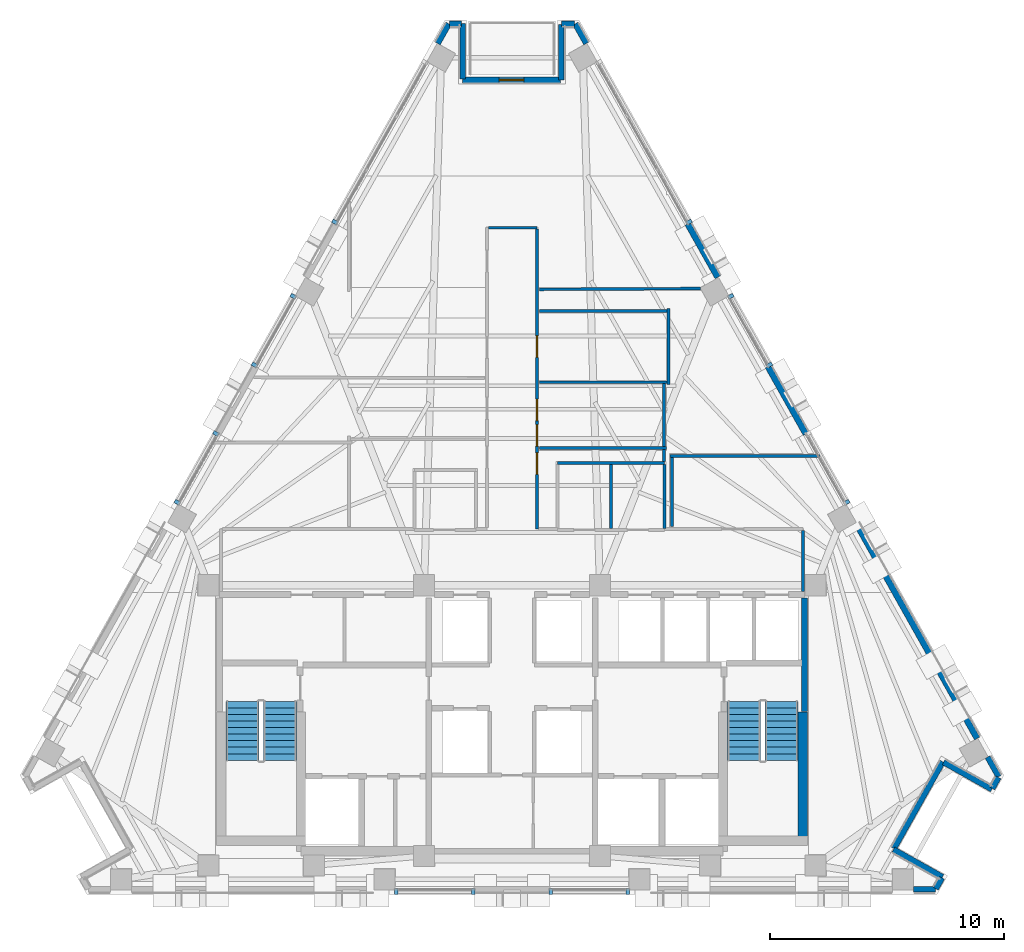
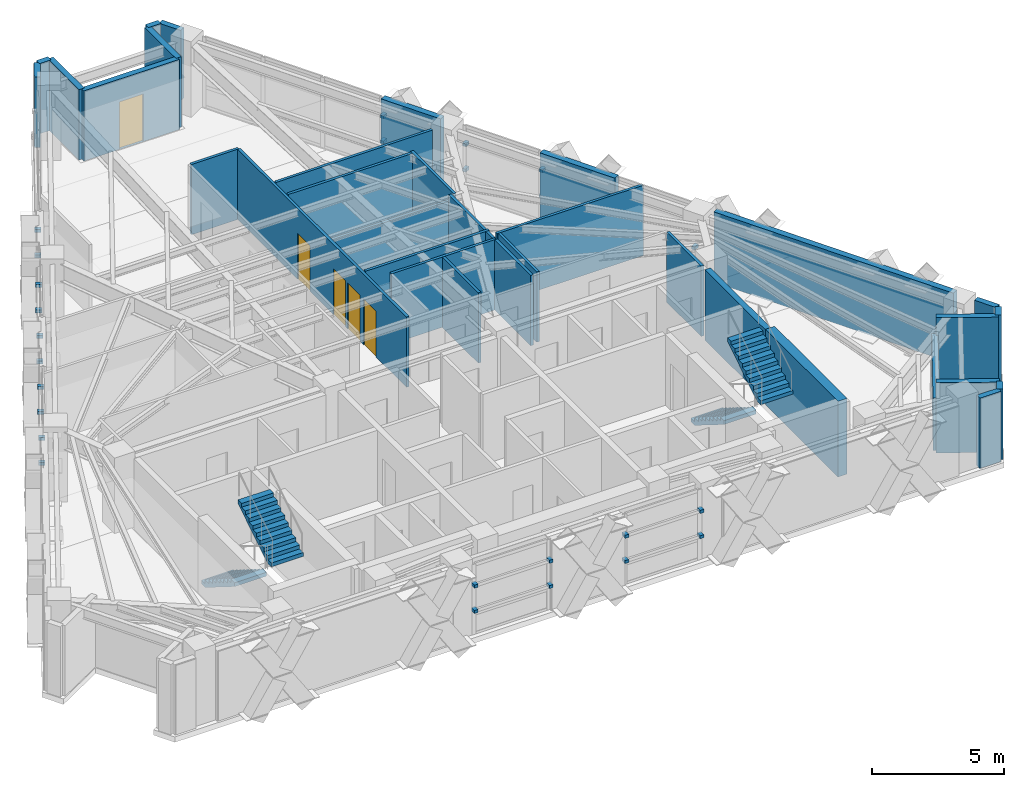
# One storey, part 10 of 15: 34 walls, 25 discrete accessories, 5 doors, 4 stair flights, 5 openings, 2 elements without a shape of their own.
"""IFC4 building model written with IfcOpenShell, lengths in metres."""

from ifc_helpers import new_model, si_unit, direction, frame, frame_2d, origin, origin_2d, place, context, subcontext, project, spatial, polyline, rectangle, outline, extrude, material, layer, layer_set, type_object, element, fill, aggregate, save


model = new_model("IFC4")

# Units and contexts
model_context = context("Model", 3, precision=1e-05, world=origin(), true_north=direction((0.0, 1.0)))
body_context = subcontext(model_context, "Body", "Model", "MODEL_VIEW")
ifc_project = project(units=[si_unit("LENGTHUNIT", "METRE"), si_unit("AREAUNIT", "SQUARE_METRE"), si_unit("VOLUMEUNIT", "CUBIC_METRE"), si_unit("PLANEANGLEUNIT", "RADIAN"), si_unit("MASSUNIT", "GRAM", prefix="KILO")], contexts=[model_context])

# Site, building, storey
site_placement = place(None, origin())
site = spatial("IfcSite", under=ifc_project, at=site_placement, CompositionType="ELEMENT")
building_placement = place(site_placement, origin())
building = spatial("IfcBuilding", under=site, at=building_placement, Name="Quenlor Broadcast Tower", CompositionType="ELEMENT")
storey_placement = place(building_placement, frame((0.0, 0.0, 183.39990234375)))
storey = spatial("IfcBuildingStorey", under=building, at=storey_placement, Name="L50", CompositionType="ELEMENT", Elevation=183.39990234375)

# Walls
ifc_material_1 = material(Name="Concrete C50/60", Category="concrete")
ifc_layer_1 = layer(ifc_material_1, 0.39990234375)
ifc_layer_set_1 = layer_set([ifc_layer_1], Name="Core Concrete C50/60 Shear Wall 400")
wall_type_1 = type_object("IfcWallType", Name="Core Concrete C50/60 Shear Wall 400", PredefinedType="SHEAR", material=ifc_layer_set_1)
wall_1_placement = place(storey_placement, frame((12.39990234375, -15.699951171875, 0.0), z_axis=(0.0, 0.0, 1.0), x_axis=(0.0, 1.0, 0.0)))
element("IfcWall", 1, at=wall_1_placement, inside=storey, type_object=wall_type_1, Name="L50 Core Shear Wall WF-E", PredefinedType="SHEAR", context=body_context, shape_type="SweptSolid", body=[
    extrude(rectangle(XDim=5.5, YDim=0.39990234375, at=frame_2d((2.75, 0.0))), origin(), (0.0, 0.0, 1.0), 3.5),
])
ifc_material_2 = material(Name="Concrete C40/50", Category="concrete")
ifc_layer_2 = layer(ifc_material_2, 0.25)
ifc_layer_set_2 = layer_set([ifc_layer_2], Name="Fire Rated Concrete C40/50 Core Wall 250")
wall_type_2 = type_object("IfcWallType", Name="Fire Rated Concrete C40/50 Core Wall 250", PredefinedType="PARTITIONING", material=ifc_layer_set_2)
wall_2_placement = place(storey_placement, frame((12.47998046875, -10.179931640625, 0.0), z_axis=(0.0, 0.0, 1.0), x_axis=(0.0, 1.0, 0.0)))
element("IfcWall", 2, at=wall_2_placement, inside=storey, type_object=wall_type_2, Name="L50 Interior Wall CW-ST2-E2", PredefinedType="PARTITIONING", context=body_context, shape_type="SweptSolid", body=[
    extrude(rectangle(XDim=4.83984375, YDim=0.25, at=frame_2d((2.419921875, 0.0))), origin(), (0.0, 0.0, 1.0), 3.25),
])
ifc_material_3 = material(Name="Gypsum Plasterboard Partition", Category="other")
ifc_layer_3 = layer(ifc_material_3, 0.1201171875)
ifc_layer_set_3 = layer_set([ifc_layer_3], Name="Standard Office Partition 120")
wall_type_3 = type_object("IfcWallType", Name="Standard Office Partition 120", PredefinedType="PARTITIONING", material=ifc_layer_set_3)
wall_3_placement = place(storey_placement, frame((1.93994140625, 0.409912109375, 0.0), z_axis=(0.0, 0.0, 1.0), x_axis=(1.0, 0.0, 0.0)))
element("IfcWall", 3, at=wall_3_placement, inside=storey, type_object=wall_type_3, Name="L50 Interior Wall PW-WC-N", PredefinedType="PARTITIONING", context=body_context, shape_type="SweptSolid", body=[
    extrude(rectangle(XDim=4.570068359375, YDim=0.1201171875, at=frame_2d((2.28515625, 0.0))), origin(), (0.0, 0.0, 1.0), 3.25),
])
for number, where, z_axis, x_axis, name in (
    (4, (4.219970703125, -2.3779296875, 0.0), (0.0, 0.0, 1.0), (0.0, 1.0, 0.0), "L50 Interior Wall PW-WC-M"),
    (5, (6.510009765625, -2.3779296875, 0.0), (0.0, 0.0, 1.0), (0.0, 1.0, 0.0), "L50 Interior Wall PW-WC-E"),
):
    element("IfcWall", number, at=place(storey_placement, frame(where, z_axis=z_axis, x_axis=x_axis)), inside=storey, type_object=wall_type_3, Name=name, PredefinedType="PARTITIONING", context=body_context, shape_type="SweptSolid", body=[
        extrude(rectangle(XDim=2.725830078125, YDim=0.1201171875, at=frame_2d((1.36279296875, 0.0))), origin(), (0.0, 0.0, 1.0), 3.25),
    ])
wall_4_placement = place(storey_placement, frame((-1.008056640625, 10.449951171875, 0.0), z_axis=(0.0, 0.0, 1.0), x_axis=(1.0, 0.0, 0.0)))
element("IfcWall", 6, at=wall_4_placement, inside=storey, type_object=wall_type_3, Name="L50 Interior Wall PW-CR-04", PredefinedType="PARTITIONING", context=body_context, shape_type="SweptSolid", body=[
    extrude(rectangle(XDim=2.078125, YDim=0.1201171875, at=frame_2d((1.0390625, 0.0))), origin(), (0.0, 0.0, 1.0), 3.25),
])

# Wall, openings, doors
wall_5_placement = place(storey_placement, frame((1.070068359375, 10.387939453125, 0.0), z_axis=(0.0, 0.0, 1.0), x_axis=(0.0, -1.0, 0.0)))
wall_5 = element("IfcWall", 7, at=wall_5_placement, inside=storey, type_object=wall_type_3, Name="L50 Interior Wall PW-CR-05", PredefinedType="PARTITIONING", context=body_context, shape_type="SweptSolid", body=[
    extrude(rectangle(XDim=12.787841796875, YDim=0.1201171875, at=frame_2d((6.39404296875, 0.0))), origin(), (0.0, 0.0, 1.0), 3.25),
])
opening_1_placement = place(wall_5_placement, frame((4.548095703125, 0.0, 0.0)))
opening_1 = element("IfcOpeningElement", 8, at=opening_1_placement, cuts=wall_5, Name="Opening ID-1", PredefinedType="OPENING", context=body_context, shape_type="SweptSolid", body=[
    extrude(rectangle(XDim=0.919921875, YDim=2.1201171875, at=frame_2d((0.4599609375, 1.06005859375))), frame((0.0, 0.070068359375, 0.0), z_axis=(0.0, -1.0, 0.0), x_axis=(1.0, 0.0, 0.0)), (0.0, 0.0, 1.0), 0.14013671875),
])
opening_2_placement = place(wall_5_placement, frame((8.333984375, 0.0, 0.0)))
opening_2 = element("IfcOpeningElement", 9, at=opening_2_placement, cuts=wall_5, Name="Opening ID-1", PredefinedType="OPENING", context=body_context, shape_type="SweptSolid", body=[
    extrude(rectangle(XDim=0.919921875, YDim=2.1201171875, at=frame_2d((0.4599609375, 1.06005859375))), frame((0.0, 0.070068359375, 0.0), z_axis=(0.0, -1.0, 0.0), x_axis=(1.0, 0.0, 0.0)), (0.0, 0.0, 1.0), 0.14013671875),
])
opening_3_placement = place(wall_5_placement, frame((7.248046875, 0.0, 0.0)))
opening_3 = element("IfcOpeningElement", 10, at=opening_3_placement, cuts=wall_5, Name="Opening ID-1", PredefinedType="OPENING", context=body_context, shape_type="SweptSolid", body=[
    extrude(rectangle(XDim=0.919921875, YDim=2.1201171875, at=frame_2d((0.4599609375, 1.06005859375))), frame((0.0, 0.070068359375, 0.0), z_axis=(0.0, -1.0, 0.0), x_axis=(1.0, 0.0, 0.0)), (0.0, 0.0, 1.0), 0.14013671875),
])
opening_4_placement = place(wall_5_placement, frame((9.5439453125, 0.0, 0.0)))
opening_4 = element("IfcOpeningElement", 11, at=opening_4_placement, cuts=wall_5, Name="Opening ID-1", PredefinedType="OPENING", context=body_context, shape_type="SweptSolid", body=[
    extrude(rectangle(XDim=0.919921875, YDim=2.1201171875, at=frame_2d((0.4599609375, 1.06005859375))), frame((0.0, 0.070068359375, 0.0), z_axis=(0.0, -1.0, 0.0), x_axis=(1.0, 0.0, 0.0)), (0.0, 0.0, 1.0), 0.14013671875),
])
ifc_material_4 = material(Name="Solid Core Timber Oak", Category="wood")
door_type_1 = type_object("IfcDoorType", Name="Single Leaf Timber Office Door 920x2120", OperationType="NOTDEFINED", PredefinedType="DOOR", material=ifc_material_4)
door_1_placement = place(opening_1_placement, origin())
door_1 = element("IfcDoor", 12, at=door_1_placement, inside=storey, type_object=door_type_1, Name="L50 Door DR-RM03", OperationType="SINGLE_SWING_RIGHT", OverallHeight=2.1201171875, OverallWidth=0.919921875, PredefinedType="DOOR", context=body_context, shape_type="SweptSolid", body=[
    extrude(rectangle(XDim=0.919921875, YDim=2.1201171875, at=frame_2d((0.4599609375, 1.06005859375))), frame((0.0, 0.02490234375, 0.0), z_axis=(0.0, -1.0, 0.0), x_axis=(1.0, 0.0, 0.0)), (0.0, 0.0, 1.0), 0.050048828125),
])
fill(opening_1, door_1)
door_2_placement = place(opening_2_placement, origin())
door_2 = element("IfcDoor", 13, at=door_2_placement, inside=storey, type_object=door_type_1, Name="L50 Door DR-RM04", OperationType="SINGLE_SWING_LEFT", OverallHeight=2.1201171875, OverallWidth=0.919921875, PredefinedType="DOOR", context=body_context, shape_type="SweptSolid", body=[
    extrude(rectangle(XDim=0.919921875, YDim=2.1201171875, at=frame_2d((0.4599609375, 1.06005859375))), frame((0.0, 0.02490234375, 0.0), z_axis=(0.0, -1.0, 0.0), x_axis=(1.0, 0.0, 0.0)), (0.0, 0.0, 1.0), 0.050048828125),
])
fill(opening_2, door_2)
door_3_placement = place(opening_3_placement, origin())
door_3 = element("IfcDoor", 14, at=door_3_placement, inside=storey, type_object=door_type_1, Name="L50 Door DR-RM06", OperationType="SINGLE_SWING_LEFT", OverallHeight=2.1201171875, OverallWidth=0.919921875, PredefinedType="DOOR", context=body_context, shape_type="SweptSolid", body=[
    extrude(rectangle(XDim=0.919921875, YDim=2.1201171875, at=frame_2d((0.4599609375, 1.06005859375))), frame((0.0, 0.02490234375, 0.0), z_axis=(0.0, -1.0, 0.0), x_axis=(1.0, 0.0, 0.0)), (0.0, 0.0, 1.0), 0.050048828125),
])
fill(opening_3, door_3)
door_4_placement = place(opening_4_placement, origin())
door_4 = element("IfcDoor", 15, at=door_4_placement, inside=storey, type_object=door_type_1, Name="L50 Connecting Door FB01", OperationType="SINGLE_SWING_LEFT", OverallHeight=2.1201171875, OverallWidth=0.919921875, PredefinedType="DOOR", context=body_context, shape_type="SweptSolid", body=[
    extrude(rectangle(XDim=0.919921875, YDim=2.1201171875, at=frame_2d((0.4599609375, 1.06005859375))), frame((0.0, 0.02490234375, 0.0), z_axis=(0.0, -1.0, 0.0), x_axis=(1.0, 0.0, 0.0)), (0.0, 0.0, 1.0), 0.050048828125),
])
fill(opening_4, door_4)

# Walls
wall_6_placement = place(storey_placement, frame((12.409912109375, -2.4619140625, 0.0), z_axis=(0.0, 0.0, 1.0), x_axis=(0.0, -1.0, 0.0)))
element("IfcWall", 16, at=wall_6_placement, inside=storey, type_object=wall_type_3, Name="L50 Interior Wall PW-CR-07", PredefinedType="PARTITIONING", context=body_context, shape_type="SweptSolid", body=[
    extrude(rectangle(XDim=2.611083984375, YDim=0.1201171875, at=frame_2d((1.3056640625, 0.0))), origin(), (0.0, 0.0, 1.0), 3.25),
])
wall_7_placement = place(storey_placement, frame((8.0419921875, 7.855712890625, 0.0), z_axis=(0.0, 0.0, 1.0), x_axis=(-0.999987417381, -0.0050164808, 0.0)))
element("IfcWall", 17, at=wall_7_placement, inside=storey, type_object=wall_type_3, Name="L50 Interior Wall PW-DV-02", PredefinedType="PARTITIONING", context=body_context, shape_type="SweptSolid", body=[
    extrude(rectangle(XDim=6.862060546875, YDim=0.1201171875, at=frame_2d((3.43115234375, 0.0))), origin(), (0.0, 0.0, 1.0), 3.25),
])
wall_8_placement = place(storey_placement, frame((6.679931640625, 7.0, 0.0), z_axis=(0.0, 0.0, 1.0), x_axis=(0.0, -1.0, 0.0)))
element("IfcWall", 18, at=wall_8_placement, inside=storey, type_object=wall_type_3, Name="L50 Interior Wall PW-DV-04", PredefinedType="PARTITIONING", context=body_context, shape_type="SweptSolid", body=[
    extrude(rectangle(XDim=3.239990234375, YDim=0.1201171875, at=frame_2d((1.6201171875, 0.0))), origin(), (0.0, 0.0, 1.0), 3.25),
])
wall_9_placement = place(storey_placement, frame((1.179931640625, 6.89990234375, 0.0), z_axis=(0.0, 0.0, 1.0), x_axis=(1.0, 0.0, 0.0)))
element("IfcWall", 19, at=wall_9_placement, inside=storey, type_object=wall_type_3, Name="L50 Interior Wall PW-DV-05", PredefinedType="PARTITIONING", context=body_context, shape_type="SweptSolid", body=[
    extrude(rectangle(XDim=5.43798828125, YDim=0.1201171875, at=frame_2d((2.718994140625, 0.0))), origin(), (0.0, 0.0, 1.0), 3.25),
])
wall_10_placement = place(storey_placement, frame((6.617919921875, 3.860107421875, 0.0), z_axis=(0.0, 0.0, 1.0), x_axis=(-1.0, 0.0, 0.0)))
element("IfcWall", 20, at=wall_10_placement, inside=storey, type_object=wall_type_3, Name="L50 Interior Wall PW-DV-06", PredefinedType="PARTITIONING", context=body_context, shape_type="SweptSolid", body=[
    extrude(rectangle(XDim=5.43798828125, YDim=0.1201171875, at=frame_2d((2.718994140625, 0.0))), origin(), (0.0, 0.0, 1.0), 2.94287109375),
])
wall_11_placement = place(storey_placement, frame((1.179931640625, 1.050048828125, 0.0), z_axis=(0.0, 0.0, 1.0), x_axis=(1.0, 0.0, 0.0)))
element("IfcWall", 21, at=wall_11_placement, inside=storey, type_object=wall_type_3, Name="L50 Interior Wall PW-DV-07", PredefinedType="PARTITIONING", context=body_context, shape_type="SweptSolid", body=[
    extrude(rectangle(XDim=5.41015625, YDim=0.1201171875, at=frame_2d((2.705078125, 0.0))), origin(), (0.0, 0.0, 1.0), 3.25),
])
wall_12_placement = place(storey_placement, frame((6.489990234375, 0.471923828125, 0.0), z_axis=(0.0, 0.0, 1.0), x_axis=(0.0, 1.0, 0.0)))
element("IfcWall", 22, at=wall_12_placement, inside=storey, type_object=wall_type_3, Name="L50 Interior Wall PW-DV-08", PredefinedType="PARTITIONING", context=body_context, shape_type="SweptSolid", body=[
    extrude(rectangle(XDim=0.51611328125, YDim=0.1201171875, at=frame_2d((0.258056640625, 0.0))), origin(), (0.0, 0.0, 1.0), 3.25),
])
wall_13_placement = place(storey_placement, frame((6.489990234375, 1.112060546875, 0.0), z_axis=(0.0, 0.0, 1.0), x_axis=(0.0, 1.0, 0.0)))
element("IfcWall", 23, at=wall_13_placement, inside=storey, type_object=wall_type_3, Name="L50 Interior Wall PW-DV-08S2", PredefinedType="PARTITIONING", context=body_context, shape_type="SweptSolid", body=[
    extrude(rectangle(XDim=2.68603515625, YDim=0.1201171875, at=frame_2d((1.343017578125, 0.0))), origin(), (0.0, 0.0, 1.0), 3.25),
])
wall_14_placement = place(storey_placement, frame((13.130615234375, 0.7099609375, 0.0), z_axis=(0.0, 0.0, 1.0), x_axis=(-1.0, 0.0, 0.0)))
element("IfcWall", 24, at=wall_14_placement, inside=storey, type_object=wall_type_3, Name="L50 Interior Wall PW-DV-09", PredefinedType="PARTITIONING", context=body_context, shape_type="SweptSolid", body=[
    extrude(rectangle(XDim=6.400634765625, YDim=0.1201171875, at=frame_2d((3.2001953125, 0.0))), origin(), (0.0, 0.0, 1.0), 3.25),
])
wall_15_placement = place(storey_placement, frame((6.830078125, 0.64794921875, 0.0), z_axis=(0.0, 0.0, 1.0), x_axis=(0.0, -1.0, 0.0)))
element("IfcWall", 25, at=wall_15_placement, inside=storey, type_object=wall_type_3, Name="L50 Interior Wall PW-DV-10", PredefinedType="PARTITIONING", context=body_context, shape_type="SweptSolid", body=[
    extrude(rectangle(XDim=2.93798828125, YDim=0.1201171875, at=frame_2d((1.468994140625, 0.0))), origin(), (0.0, 0.0, 1.0), 3.25),
])
ifc_material_5 = material(Name="Precast concrete C40/50", Category="concrete")
ifc_layer_4 = layer(ifc_material_5, 0.239990234375)
ifc_layer_set_4 = layer_set([ifc_layer_4], Name="Terrace Threshold Precast Concrete C40/50 Wall 240")
wall_type_4 = type_object("IfcWallType", Name="Terrace Threshold Precast Concrete C40/50 Wall 240", PredefinedType="STANDARD", material=ifc_layer_set_4)
wall_16_placement = place(storey_placement, frame((18.06591796875, -17.77490234375, 0.0), z_axis=(0.0, 0.0, 1.0), x_axis=(-1.0, 0.0, 0.0)))
element("IfcWall", 26, at=wall_16_placement, inside=storey, type_object=wall_type_4, Name="L50 Exterior Wall L50-SHD-SS0", PredefinedType="STANDARD", context=body_context, shape_type="SweptSolid", body=[
    extrude(rectangle(XDim=0.93505859375, YDim=0.239990234375, at=frame_2d((0.467529296875, 0.0))), origin(), (0.0, 0.0, 1.0), 3.25),
])
for number, where, z_axis, x_axis, name in (
    (27, (2.6953125, 19.1494140625, 0.0), (0.0, 0.0, 1.0), (0.490345412687, -0.87152818443, 0.0), "L50 Exterior Wall L50-SHD-NES0"),
    (28, (20.289794921875, -12.1298828125, 0.0), (0.0, 0.0, 1.0), (0.490345412687, -0.87152818443, 0.0), "L50 Exterior Wall L50-SHD-NES1"),
    (29, (-3.16796875, 18.309326171875, 0.0), (0.0, 0.0, 1.0), (0.490345412687, 0.87152818443, 0.0), "L50 Exterior Wall L50-SHD-NWS1"),
):
    element("IfcWall", number, at=place(storey_placement, frame(where, z_axis=z_axis, x_axis=x_axis)), inside=storey, type_object=wall_type_4, Name=name, PredefinedType="STANDARD", context=body_context, shape_type="SweptSolid", body=[
        extrude(rectangle(XDim=0.9638671875, YDim=0.239990234375, at=frame_2d((0.48193359375, 0.0))), origin(), (0.0, 0.0, 1.0), 3.25),
    ])
wall_17_placement = place(storey_placement, frame((18.365966796875, -17.246826171875, 0.0), z_axis=(0.0, 0.0, 1.0), x_axis=(-0.871597270235, 0.490222600988, 0.0)))
element("IfcWall", 30, at=wall_17_placement, inside=storey, type_object=wall_type_4, Name="L50 Exterior Wall L50-CNR-01", PredefinedType="STANDARD", context=body_context, shape_type="SweptSolid", body=[
    extrude(rectangle(XDim=2.39990234375, YDim=0.239990234375, at=frame_2d((1.199951171875, 0.0))), origin(), (0.0, 0.0, 1.0), 3.25),
])
wall_18_placement = place(storey_placement, frame((16.293701171875, -16.035400390625, 0.0), z_axis=(0.0, 0.0, 1.0), x_axis=(0.49027487746, 0.871567865706, 0.0)))
element("IfcWall", 31, at=wall_18_placement, inside=storey, type_object=wall_type_4, Name="L50 Exterior Wall L50-CNR-02", PredefinedType="STANDARD", context=body_context, shape_type="SweptSolid", body=[
    extrude(rectangle(XDim=4.249755859375, YDim=0.239990234375, at=frame_2d((2.125, 0.0))), origin(), (0.0, 0.0, 1.0), 2.43408203125),
])
wall_19_placement = place(storey_placement, frame((18.412109375, -12.351318359375, 0.0), z_axis=(0.0, 0.0, 1.0), x_axis=(0.871578299909, -0.490256327984, 0.0)))
element("IfcWall", 32, at=wall_19_placement, inside=storey, type_object=wall_type_4, Name="L50 Exterior Wall L50-CNR-03", PredefinedType="STANDARD", context=body_context, shape_type="SweptSolid", body=[
    extrude(rectangle(XDim=2.35986328125, YDim=0.239990234375, at=frame_2d((1.179931640625, 0.0))), origin(), (0.0, 0.0, 1.0), 3.25),
])
wall_20_placement = place(storey_placement, frame((20.48876953125, -13.473388671875, 0.0), z_axis=(0.0, 0.0, 1.0), x_axis=(0.490133374867, 0.87164744871, 0.0)))
element("IfcWall", 33, at=wall_20_placement, inside=storey, type_object=wall_type_4, Name="L50 Exterior Wall L50-CNR-04", PredefinedType="STANDARD", context=body_context, shape_type="SweptSolid", body=[
    extrude(rectangle(XDim=0.5439453125, YDim=0.239990234375, at=frame_2d((0.27197265625, 0.0))), origin(), (0.0, 0.0, 1.0), 3.25),
])
wall_21_placement = place(storey_placement, frame((2.658447265625, 19.152099609375, 0.0), z_axis=(0.0, 0.0, 1.0), x_axis=(-1.0, 0.0, 0.0)))
element("IfcWall", 34, at=wall_21_placement, inside=storey, type_object=wall_type_4, Name="L50 Exterior Wall L50-CNR-06", PredefinedType="STANDARD", context=body_context, shape_type="SweptSolid", body=[
    extrude(rectangle(XDim=0.55224609375, YDim=0.239990234375, at=frame_2d((0.276123046875, 0.0))), origin(), (0.0, 0.0, 1.0), 3.25),
])
wall_22_placement = place(storey_placement, frame((2.106201171875, 19.112060546875, 0.0), z_axis=(0.0, 0.0, 1.0), x_axis=(0.0, -1.0, 0.0)))
element("IfcWall", 35, at=wall_22_placement, inside=storey, type_object=wall_type_4, Name="L50 Exterior Wall L50-CNR-07", PredefinedType="STANDARD", context=body_context, shape_type="SweptSolid", body=[
    extrude(rectangle(XDim=2.360107421875, YDim=0.239990234375, at=frame_2d((1.18017578125, 0.0))), origin(), (0.0, 0.0, 1.0), 3.25),
])

# Wall, opening, door
wall_23_placement = place(storey_placement, frame((2.066162109375, 16.751953125, 0.0), z_axis=(0.0, 0.0, 1.0), x_axis=(-1.0, 0.0, 0.0)))
wall_23 = element("IfcWall", 36, at=wall_23_placement, inside=storey, type_object=wall_type_4, Name="L50 Exterior Wall L50-CNR-08", PredefinedType="STANDARD", context=body_context, shape_type="SweptSolid", body=[
    extrude(rectangle(XDim=4.17236328125, YDim=0.239990234375, at=frame_2d((2.086181640625, 0.0))), origin(), (0.0, 0.0, 1.0), 3.25),
])
opening_5_placement = place(wall_23_placement, frame((1.56103515625, 0.0, 0.0)))
opening_5 = element("IfcOpeningElement", 37, at=opening_5_placement, cuts=wall_23, Name="Opening ED-3", PredefinedType="OPENING", context=body_context, shape_type="SweptSolid", body=[
    extrude(rectangle(XDim=1.050048828125, YDim=2.199951171875, at=frame_2d((0.52490234375, 1.10009765625))), frame((0.0, 0.1298828125, 0.0), z_axis=(0.0, -1.0, 0.0), x_axis=(1.0, 0.0, 0.0)), (0.0, 0.0, 1.0), 0.260009765625),
])
ifc_material_6 = material(Name="Anodised Aluminium and Toughened Glass", Category="aluminium")
door_type_2 = type_object("IfcDoorType", Name="Outdoor Terrace Glazed Access Door 1050x2200", OperationType="NOTDEFINED", PredefinedType="DOOR", material=ifc_material_6)
door_5_placement = place(opening_5_placement, origin())
door_5 = element("IfcDoor", 38, at=door_5_placement, inside=storey, type_object=door_type_2, Name="L50 Sky Lobby Terrace Access Door", OperationType="SINGLE_SWING_RIGHT", OverallHeight=2.199951171875, OverallWidth=1.050048828125, PredefinedType="DOOR", context=body_context, shape_type="SweptSolid", body=[
    extrude(rectangle(XDim=1.050048828125, YDim=2.199951171875, at=frame_2d((0.52490234375, 1.10009765625))), frame((0.0, 0.02490234375, 0.0), z_axis=(0.0, -1.0, 0.0), x_axis=(1.0, 0.0, 0.0)), (0.0, 0.0, 1.0), 0.050048828125),
])
fill(opening_5, door_5)

# Walls
wall_24_placement = place(storey_placement, frame((-2.106201171875, 16.7919921875, 0.0), z_axis=(0.0, 0.0, 1.0), x_axis=(0.0, 1.0, 0.0)))
element("IfcWall", 39, at=wall_24_placement, inside=storey, type_object=wall_type_4, Name="L50 Exterior Wall L50-CNR-09", PredefinedType="STANDARD", context=body_context, shape_type="SweptSolid", body=[
    extrude(rectangle(XDim=2.360107421875, YDim=0.239990234375, at=frame_2d((1.18017578125, 0.0))), origin(), (0.0, 0.0, 1.0), 3.25),
])
wall_25_placement = place(storey_placement, frame((-2.146240234375, 19.152099609375, 0.0), z_axis=(0.0, 0.0, 1.0), x_axis=(-1.0, 0.0, 0.0)))
element("IfcWall", 40, at=wall_25_placement, inside=storey, type_object=wall_type_4, Name="L50 Exterior Wall L50-CNR-10", PredefinedType="STANDARD", context=body_context, shape_type="SweptSolid", body=[
    extrude(rectangle(XDim=0.51220703125, YDim=0.239990234375, at=frame_2d((0.256103515625, 0.0))), origin(), (0.0, 0.0, 1.0), 3.25),
])
wall_26_placement = place(storey_placement, frame((18.081298828125, -17.752685546875, 0.0), z_axis=(0.0, 0.0, 1.0), x_axis=(0.490582915772, 0.871394516136, 0.0)))
element("IfcWall", 41, at=wall_26_placement, inside=storey, type_object=wall_type_4, Name="L50 Exterior Wall L50-CNR-18", PredefinedType="STANDARD", context=body_context, shape_type="SweptSolid", body=[
    extrude(rectangle(XDim=0.54052734375, YDim=0.239990234375, at=frame_2d((0.270263671875, 0.0))), origin(), (0.0, 0.0, 1.0), 3.25),
])
ifc_material_7 = material(Name="Precast concrete C40/50", Category="concrete")
ifc_layer_5 = layer(ifc_material_7, 0.260009765625)
ifc_layer_set_5 = layer_set([ifc_layer_5], Name="Terracotta Precast Concrete C40/50 Upper Wall 260")
wall_type_5 = type_object("IfcWallType", Name="Terracotta Precast Concrete C40/50 Upper Wall 260", PredefinedType="STANDARD", material=ifc_layer_set_5)
wall_27_placement = place(storey_placement, frame((7.493896484375, 10.618408203125, 0.0), z_axis=(0.0, 0.0, 1.0), x_axis=(0.490301099378, -0.871553114818, 0.0)))
element("IfcWall", 42, at=wall_27_placement, inside=storey, type_object=wall_type_5, Name="L50 Exterior Wall L50-NEA-SP1", PredefinedType="STANDARD", context=body_context, shape_type="SweptSolid", body=[
    extrude(rectangle(XDim=2.6171875, YDim=0.260009765625, at=frame_2d((1.30859375, 0.0))), origin(), (0.0, 0.0, 1.0), 3.25),
])
wall_28_placement = place(storey_placement, frame((14.6708984375, -2.140380859375, 0.0), z_axis=(0.0, 0.0, 1.0), x_axis=(0.490246958575, -0.871583570066, 0.0)))
element("IfcWall", 43, at=wall_28_placement, inside=storey, type_object=wall_type_5, Name="L50 Exterior Wall L50-EW-NEC", PredefinedType="STANDARD", context=body_context, shape_type="SweptSolid", body=[
    extrude(rectangle(XDim=10.551513671875, YDim=0.260009765625, at=frame_2d((5.27587890625, 0.0))), origin(), (0.0, 0.0, 1.0), 3.25),
])
wall_29_placement = place(storey_placement, frame((10.923095703125, 4.522216796875, 0.0), z_axis=(0.0, 0.0, 1.0), x_axis=(0.490264765862, -0.871573553611, 0.0)))
element("IfcWall", 44, at=wall_29_placement, inside=storey, type_object=wall_type_5, Name="L50 Exterior Wall L50-NE-SP1", PredefinedType="STANDARD", context=body_context, shape_type="SweptSolid", body=[
    extrude(rectangle(XDim=3.287109375, YDim=0.260009765625, at=frame_2d((1.6435546875, 0.0))), origin(), (0.0, 0.0, 1.0), 3.25),
])

# Stair, stair flights
ifc_material_8 = material(Name="Precast concrete C40/50", Category="concrete")
stair_type = type_object("IfcStairType", Name="Precast Concrete C40/50 Dogleg Stair H350", PredefinedType="HALF_TURN_STAIR", material=ifc_material_8)
stair_1_placement = place(storey_placement, origin())
stair_1 = element("IfcStair", 45, at=stair_1_placement, inside=storey, type_object=stair_type, Name="L50 West Core Fire-Isolated Exit Stair ST-1", PredefinedType="HALF_TURN_STAIR")
ifc_material_9 = material(Name="Precast concrete C40/50", Category="concrete")
ifc_layer_6 = layer(ifc_material_9, 0.159912109375)
ifc_layer_set_6 = layer_set([ifc_layer_6], Name="Precast Concrete C40/50 Stair Flight H350")
stair_flight_type = type_object("IfcStairFlightType", Name="Precast Concrete C40/50 Stair Flight H350", PredefinedType="STRAIGHT", material=ifc_layer_set_6)
stair_flight_1_placement = place(storey_placement, frame((-11.5, -9.75, 0.0), z_axis=(0.0, 0.0, 1.0), x_axis=(0.0, -1.0, 0.0)))
stair_flight_1 = element("IfcStairFlight", 46, at=stair_flight_1_placement, type_object=stair_flight_type, Name="ST-1 flight 1", NumberOfRisers=10, NumberOfTreads=9, PredefinedType="STRAIGHT", RiserHeight=0.175, TreadLength=0.28, context=body_context, shape_type="SweptSolid", body=[
    extrude(outline(polyline([(0.0, 0.0), (0.0, 0.175048828125), (0.280029296875, 0.175048828125), (0.280029296875, 0.35009765625), (0.56005859375, 0.35009765625), (0.56005859375, 0.52490234375), (0.840087890625, 0.52490234375), (0.840087890625, 0.699951171875), (1.1201171875, 0.699951171875), (1.1201171875, 0.875), (1.39990234375, 0.875), (1.39990234375, 1.050048828125), (1.679931640625, 1.050048828125), (1.679931640625, 1.22509765625), (1.9599609375, 1.22509765625), (1.9599609375, 1.39990234375), (2.239990234375, 1.39990234375), (2.239990234375, 1.574951171875), (2.52001953125, 1.574951171875), (2.52001953125, 1.75), (2.52001953125, 1.398193359375), (0.28271484375, 0.0), (0.0, 0.0)])), frame((0.0, 0.699951171875, 0.0), z_axis=(0.0, -1.0, 0.0), x_axis=(1.0, 0.0, 0.0)), (0.0, 0.0, 1.0), 1.39990234375),
])
stair_flight_2_placement = place(storey_placement, frame((-9.89990234375, -12.27001953125, 1.75), z_axis=(0.0, 0.0, 1.0), x_axis=(0.0, 1.0, 0.0)))
stair_flight_2 = element("IfcStairFlight", 47, at=stair_flight_2_placement, type_object=stair_flight_type, Name="ST-1 flight 2", NumberOfRisers=10, NumberOfTreads=9, PredefinedType="STRAIGHT", RiserHeight=0.175, TreadLength=0.28, context=body_context, shape_type="SweptSolid", body=[
    extrude(outline(polyline([(0.0, 0.0), (0.0, 0.175048828125), (0.280029296875, 0.175048828125), (0.280029296875, 0.35009765625), (0.56005859375, 0.35009765625), (0.56005859375, 0.52490234375), (0.840087890625, 0.52490234375), (0.840087890625, 0.699951171875), (1.1201171875, 0.699951171875), (1.1201171875, 0.875), (1.39990234375, 0.875), (1.39990234375, 1.050048828125), (1.679931640625, 1.050048828125), (1.679931640625, 1.22509765625), (1.9599609375, 1.22509765625), (1.9599609375, 1.39990234375), (2.239990234375, 1.39990234375), (2.239990234375, 1.574951171875), (2.52001953125, 1.574951171875), (2.52001953125, 1.75), (2.52001953125, 1.398193359375), (0.28271484375, 0.0), (0.0, 0.0)])), frame((0.0, 0.699951171875, 0.0), z_axis=(0.0, -1.0, 0.0), x_axis=(1.0, 0.0, 0.0)), (0.0, 0.0, 1.0), 1.39990234375),
])
aggregate(stair_1, [stair_flight_1, stair_flight_2])

stair_2_placement = place(storey_placement, origin())
stair_2 = element("IfcStair", 48, at=stair_2_placement, inside=storey, type_object=stair_type, Name="L50 East Core Fire-Isolated Exit Stair ST-2", PredefinedType="HALF_TURN_STAIR")
stair_flight_3_placement = place(storey_placement, frame((9.89990234375, -9.75, 0.0), z_axis=(0.0, 0.0, 1.0), x_axis=(0.0, -1.0, 0.0)))
stair_flight_3 = element("IfcStairFlight", 49, at=stair_flight_3_placement, type_object=stair_flight_type, Name="ST-2 flight 1", NumberOfRisers=10, NumberOfTreads=9, PredefinedType="STRAIGHT", RiserHeight=0.175, TreadLength=0.28, context=body_context, shape_type="SweptSolid", body=[
    extrude(outline(polyline([(0.0, 0.0), (0.0, 0.175048828125), (0.280029296875, 0.175048828125), (0.280029296875, 0.35009765625), (0.56005859375, 0.35009765625), (0.56005859375, 0.52490234375), (0.840087890625, 0.52490234375), (0.840087890625, 0.699951171875), (1.1201171875, 0.699951171875), (1.1201171875, 0.875), (1.39990234375, 0.875), (1.39990234375, 1.050048828125), (1.679931640625, 1.050048828125), (1.679931640625, 1.22509765625), (1.9599609375, 1.22509765625), (1.9599609375, 1.39990234375), (2.239990234375, 1.39990234375), (2.239990234375, 1.574951171875), (2.52001953125, 1.574951171875), (2.52001953125, 1.75), (2.52001953125, 1.398193359375), (0.28271484375, 0.0), (0.0, 0.0)])), frame((0.0, 0.699951171875, 0.0), z_axis=(0.0, -1.0, 0.0), x_axis=(1.0, 0.0, 0.0)), (0.0, 0.0, 1.0), 1.39990234375),
])
stair_flight_4_placement = place(storey_placement, frame((11.5, -12.27001953125, 1.75), z_axis=(0.0, 0.0, 1.0), x_axis=(0.0, 1.0, 0.0)))
stair_flight_4 = element("IfcStairFlight", 50, at=stair_flight_4_placement, type_object=stair_flight_type, Name="ST-2 flight 2", NumberOfRisers=10, NumberOfTreads=9, PredefinedType="STRAIGHT", RiserHeight=0.175, TreadLength=0.28, context=body_context, shape_type="SweptSolid", body=[
    extrude(outline(polyline([(0.0, 0.0), (0.0, 0.175048828125), (0.280029296875, 0.175048828125), (0.280029296875, 0.35009765625), (0.56005859375, 0.35009765625), (0.56005859375, 0.52490234375), (0.840087890625, 0.52490234375), (0.840087890625, 0.699951171875), (1.1201171875, 0.699951171875), (1.1201171875, 0.875), (1.39990234375, 0.875), (1.39990234375, 1.050048828125), (1.679931640625, 1.050048828125), (1.679931640625, 1.22509765625), (1.9599609375, 1.22509765625), (1.9599609375, 1.39990234375), (2.239990234375, 1.39990234375), (2.239990234375, 1.574951171875), (2.52001953125, 1.574951171875), (2.52001953125, 1.75), (2.52001953125, 1.398193359375), (0.28271484375, 0.0), (0.0, 0.0)])), frame((0.0, 0.699951171875, 0.0), z_axis=(0.0, -1.0, 0.0), x_axis=(1.0, 0.0, 0.0)), (0.0, 0.0, 1.0), 1.39990234375),
])
aggregate(stair_2, [stair_flight_3, stair_flight_4])

# Discrete accessories
ifc_material_10 = material(Name="Aluminium 6063-T6", Category="aluminium")
discrete_accessory_type = type_object("IfcDiscreteAccessoryType", Name="Stainless Mullion Baguette Support Bracket", PredefinedType="BRACKET", material=ifc_material_10)
for number, where, z_axis, x_axis, name in (
    (51, (4.933837890625, -17.864990234375, 1.10009765625), (0.0, 0.0, 1.0), (-1.0, 0.0, 0.0), "L50 Baguette Mullion Bracket 1.1"),
    (52, (1.655029296875, -17.864990234375, 1.10009765625), (0.0, 0.0, 1.0), (-1.0, 0.0, 0.0), "L50 Baguette Mullion Bracket 1.2"),
    (53, (4.933837890625, -17.864990234375, 2.27001953125), (0.0, 0.0, 1.0), (-1.0, 0.0, 0.0), "L50 Baguette Mullion Bracket 2.1"),
    (54, (1.655029296875, -17.864990234375, 2.27001953125), (0.0, 0.0, 1.0), (-1.0, 0.0, 0.0), "L50 Baguette Mullion Bracket 2.2"),
    (55, (-1.655029296875, -17.864990234375, 1.10009765625), (0.0, 0.0, 1.0), (-1.0, 0.0, 0.0), "L50 Baguette Mullion Bracket 1.1"),
    (56, (-4.933837890625, -17.864990234375, 1.10009765625), (0.0, 0.0, 1.0), (-1.0, 0.0, 0.0), "L50 Baguette Mullion Bracket 1.2"),
    (57, (-1.655029296875, -17.864990234375, 2.27001953125), (0.0, 0.0, 1.0), (-1.0, 0.0, 0.0), "L50 Baguette Mullion Bracket 2.1"),
    (58, (-4.933837890625, -17.864990234375, 2.27001953125), (0.0, 0.0, 1.0), (-1.0, 0.0, 0.0), "L50 Baguette Mullion Bracket 2.2"),
    (59, (7.555908203125, 10.692138671875, 1.10009765625), (0.0, 0.0, 1.0), (0.490258903959, -0.871576850937, 0.0), "L50 Baguette Mullion Bracket 1.2"),
    (60, (7.555908203125, 10.692138671875, 2.27001953125), (0.0, 0.0, 1.0), (0.490258903959, -0.871576850937, 0.0), "L50 Baguette Mullion Bracket 2.2"),
    (61, (9.33544921875, 7.5283203125, 1.10009765625), (0.0, 0.0, 1.0), (0.49025738277, -0.871577706599, 0.0), "L50 Baguette Mullion Bracket 1.1"),
    (62, (10.98486328125, 4.595947265625, 1.10009765625), (0.0, 0.0, 1.0), (0.49025738277, -0.871577706599, 0.0), "L50 Baguette Mullion Bracket 1.2"),
    (63, (9.33544921875, 7.5283203125, 2.27001953125), (0.0, 0.0, 1.0), (0.49025738277, -0.871577706599, 0.0), "L50 Baguette Mullion Bracket 2.1"),
    (64, (10.98486328125, 4.595947265625, 2.27001953125), (0.0, 0.0, 1.0), (0.49025738277, -0.871577706599, 0.0), "L50 Baguette Mullion Bracket 2.2"),
    (65, (14.279296875, -1.260498046875, 1.10009765625), (0.0, 0.0, 1.0), (0.49025738277, -0.871577706599, 0.0), "L50 Baguette Mullion Bracket 1.2"),
    (66, (-7.555908203125, 10.692138671875, 1.10009765625), (0.0, 0.0, 1.0), (0.490258903959, 0.871576850937, 0.0), "L50 Baguette Mullion Bracket 1.1"),
    (67, (-7.555908203125, 10.692138671875, 2.27001953125), (0.0, 0.0, 1.0), (0.490258903959, 0.871576850937, 0.0), "L50 Baguette Mullion Bracket 2.1"),
    (68, (-14.279296875, -1.260498046875, 1.10009765625), (0.0, 0.0, 1.0), (0.49025738277, 0.871577706599, 0.0), "L50 Baguette Mullion Bracket 1.1"),
    (69, (-12.6298828125, 1.671630859375, 1.10009765625), (0.0, 0.0, 1.0), (0.49025738277, 0.871577706599, 0.0), "L50 Baguette Mullion Bracket 1.2"),
    (70, (-14.279296875, -1.260498046875, 2.27001953125), (0.0, 0.0, 1.0), (0.49025738277, 0.871577706599, 0.0), "L50 Baguette Mullion Bracket 2.1"),
    (71, (-12.6298828125, 1.671630859375, 2.27001953125), (0.0, 0.0, 1.0), (0.49025738277, 0.871577706599, 0.0), "L50 Baguette Mullion Bracket 2.2"),
    (72, (-10.98486328125, 4.595947265625, 1.10009765625), (0.0, 0.0, 1.0), (0.49025738277, 0.871577706599, 0.0), "L50 Baguette Mullion Bracket 1.1"),
    (73, (-9.33544921875, 7.5283203125, 1.10009765625), (0.0, 0.0, 1.0), (0.49025738277, 0.871577706599, 0.0), "L50 Baguette Mullion Bracket 1.2"),
    (74, (-10.98486328125, 4.595947265625, 2.27001953125), (0.0, 0.0, 1.0), (0.49025738277, 0.871577706599, 0.0), "L50 Baguette Mullion Bracket 2.1"),
    (75, (-9.33544921875, 7.5283203125, 2.27001953125), (0.0, 0.0, 1.0), (0.49025738277, 0.871577706599, 0.0), "L50 Baguette Mullion Bracket 2.2"),
):
    element("IfcDiscreteAccessory", number, at=place(storey_placement, frame(where, z_axis=z_axis, x_axis=x_axis)), inside=storey, type_object=discrete_accessory_type, Name=name, PredefinedType="BRACKET", context=body_context, shape_type="SweptSolid", body=[
        extrude(rectangle(XDim=0.159912109375, YDim=0.239990234375, at=origin_2d()), origin(), (0.0, 0.0, 1.0), 0.139892578125),
    ])

save(model, "model.ifc")
